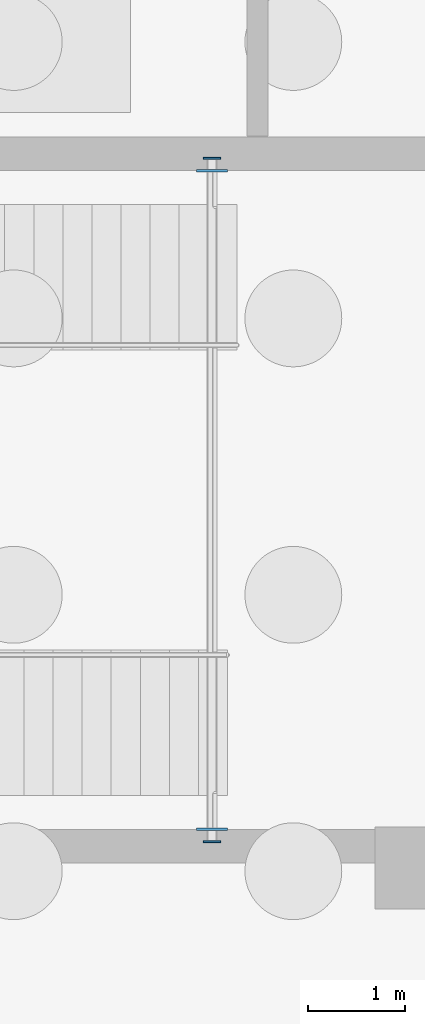
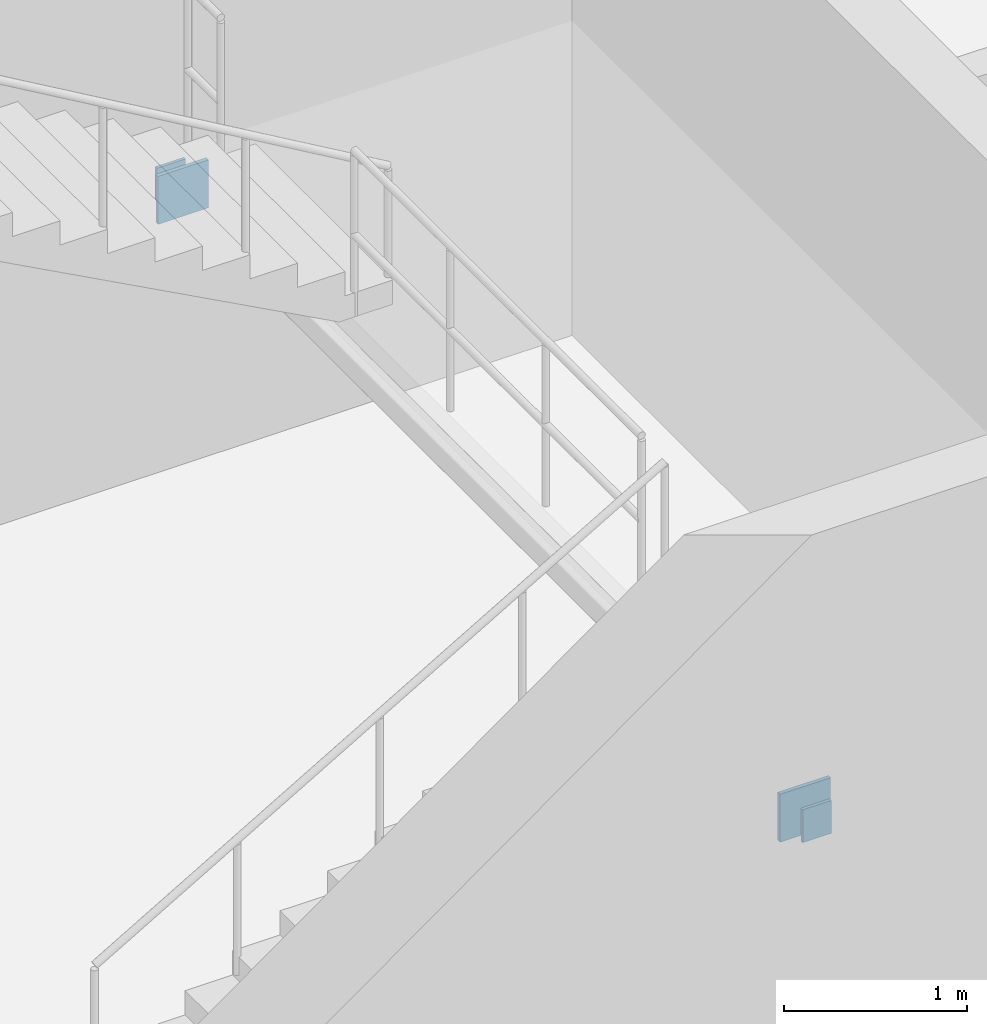
# One storey, part 14 of 36: 4 plates.
"""IFC4 building model written with IfcOpenShell, lengths in metres."""

from ifc_helpers import new_model, si_unit, direction, frame, origin, origin_2d, place, context, subcontext, project, spatial, rectangle, extrude, material, layer, layer_set, type_object, element, save


model = new_model("IFC4")

# Units and contexts
model_context = context("Model", 3, precision=1e-05, world=origin(), true_north=direction((0.0, 1.0)))
body_context = subcontext(model_context, "Body", "Model", "MODEL_VIEW")
ifc_project = project(units=[si_unit("LENGTHUNIT", "METRE"), si_unit("AREAUNIT", "SQUARE_METRE"), si_unit("VOLUMEUNIT", "CUBIC_METRE"), si_unit("PLANEANGLEUNIT", "RADIAN"), si_unit("MASSUNIT", "GRAM", prefix="KILO"), si_unit("THERMODYNAMICTEMPERATUREUNIT", "KELVIN"), si_unit("POWERUNIT", "WATT")], contexts=[model_context])

# Site, building, storey
site_placement = place(None, origin())
site = spatial("IfcSite", under=ifc_project, at=site_placement, CompositionType="ELEMENT")
building_placement = place(site_placement, origin())
building = spatial("IfcBuilding", under=site, at=building_placement, Name="Solvatero Civic Police Headquarters", CompositionType="ELEMENT")
storey_placement = place(building_placement, frame((0.0, 0.0, -8.39990234375)))
storey = spatial("IfcBuildingStorey", under=building, at=storey_placement, Name="B02", CompositionType="ELEMENT", Elevation=-8.39990234375)

# Plates
ifc_material = material(Name="Steel S355", Category="steel")
ifc_layer_1 = layer(ifc_material, 0.02001953125)
ifc_layer_set_1 = layer_set([ifc_layer_1], Name="Steel S355")
plate_type_1 = type_object("IfcPlateType", Name="PLT-CAP-20", PredefinedType="SHEET", material=ifc_layer_set_1)
for number, where, z_axis, x_axis, name in (
    (1, (43.340087890625, 15.8701171875, 1.71484375), (0.0, 0.0, 1.0), (1.0, 0.0, 0.0), "Hollow Section Cap Plate 0001"),
    (2, (43.340087890625, 22.929931640625, 1.71484375), (0.0, 0.0, 1.0), (1.0, 0.0, 0.0), "Hollow Section Cap Plate 0002"),
):
    element("IfcPlate", number, at=place(storey_placement, frame(where, z_axis=z_axis, x_axis=x_axis)), inside=storey, type_object=plate_type_1, Name=name, PredefinedType="SHEET", context=body_context, shape_type="SweptSolid", body=[
        extrude(rectangle(XDim=0.179931640625, YDim=0.02001953125, at=origin_2d()), origin(), (0.0, 0.0, 1.0), 0.219970703125),
    ])
ifc_layer_2 = layer(ifc_material, 0.02490234375)
ifc_layer_set_2 = layer_set([ifc_layer_2], Name="Steel S355")
plate_type_2 = type_object("IfcPlateType", Name="PLT-EMB-25", PredefinedType="SHEET", material=ifc_layer_set_2)
for number, where, z_axis, x_axis, name in (
    (3, (43.340087890625, 16.0, 1.6650390625), (0.0, 0.0, 1.0), (1.0, 0.0, 0.0), "Cast-In Shear Wall Embed Plate 0001"),
    (4, (43.340087890625, 22.800048828125, 1.6650390625), (0.0, 0.0, 1.0), (1.0, 0.0, 0.0), "Cast-In Shear Wall Embed Plate 0002"),
):
    element("IfcPlate", number, at=place(storey_placement, frame(where, z_axis=z_axis, x_axis=x_axis)), inside=storey, type_object=plate_type_2, Name=name, PredefinedType="SHEET", context=body_context, shape_type="SweptSolid", body=[
        extrude(rectangle(XDim=0.320068359375, YDim=0.02490234375, at=origin_2d()), origin(), (0.0, 0.0, 1.0), 0.320068359375),
    ])

save(model, "model.ifc")
